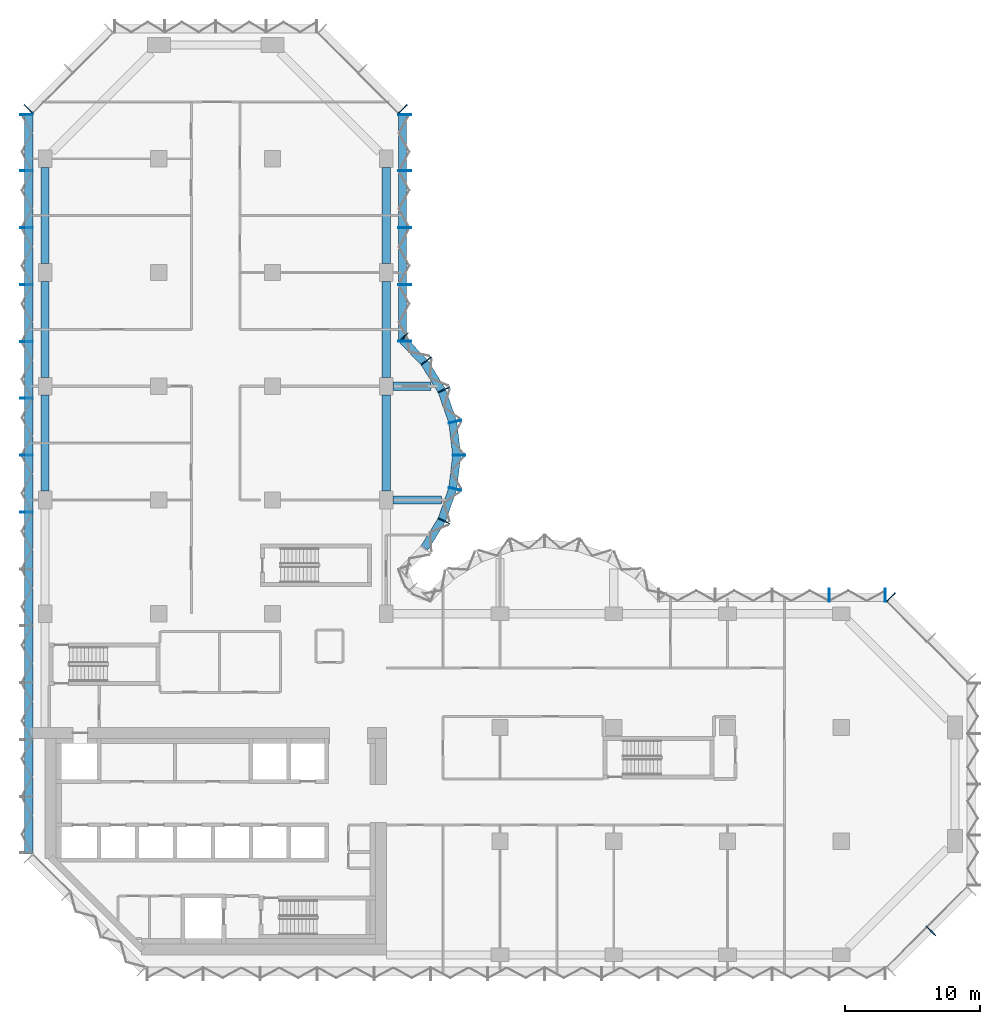
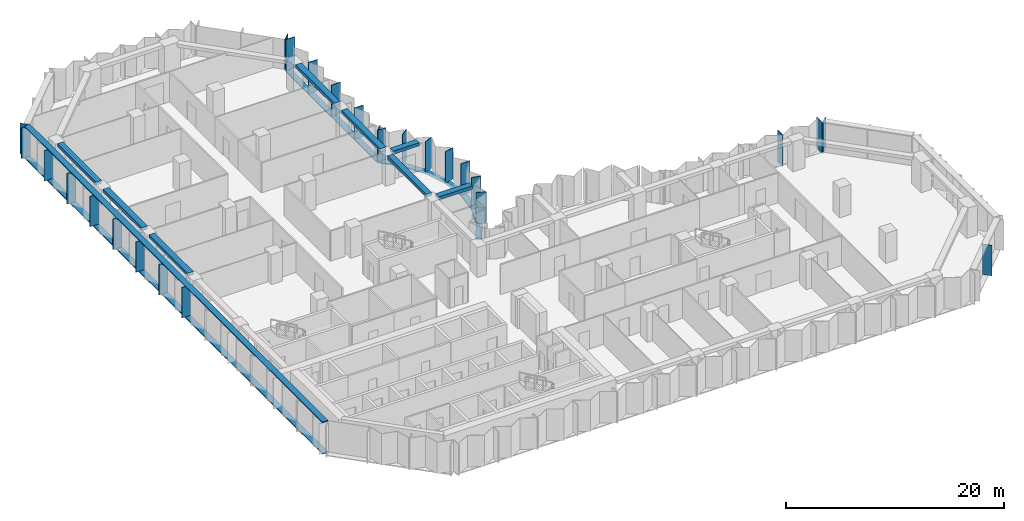
# One storey, part 3 of 13: 36 members, 8 beams, 8 elements without a shape of their own.
"""IFC4 building model written with IfcOpenShell, lengths in metres."""

from ifc_helpers import new_model, si_unit, direction, frame, origin, origin_2d, place, context, subcontext, project, spatial, rectangle, extrude, material, material_profile, profile_set, type_object, element, aggregate, save


model = new_model("IFC4")

# Units and contexts
model_context = context("Model", 3, precision=1e-05, world=origin(), true_north=direction((0.0, 1.0)))
body_context = subcontext(model_context, "Body", "Model", "MODEL_VIEW")
ifc_project = project(units=[si_unit("LENGTHUNIT", "METRE"), si_unit("AREAUNIT", "SQUARE_METRE"), si_unit("VOLUMEUNIT", "CUBIC_METRE"), si_unit("PLANEANGLEUNIT", "RADIAN"), si_unit("MASSUNIT", "GRAM", prefix="KILO")], contexts=[model_context])

# Site, building, storey
site_placement = place(None, origin())
site = spatial("IfcSite", under=ifc_project, at=site_placement, CompositionType="ELEMENT")
building_placement = place(site_placement, origin())
building = spatial("IfcBuilding", under=site, at=building_placement, Name="Brevane Broadcast Tower", CompositionType="ELEMENT")
storey_placement = place(building_placement, frame((0.0, 0.0, 131.300048828125)))
storey = spatial("IfcBuildingStorey", under=building, at=storey_placement, Name="L32", CompositionType="ELEMENT", Elevation=131.300048828125)

# Curtain wall, member
ifc_material_1 = material(Name="Aluminium 6063-T6 bronze anodised", Category="aluminium")
curtain_wall_type = type_object("IfcCurtainWallType", Name="CW-1 curtain wall", PredefinedType="NOTDEFINED", material=ifc_material_1)
curtain_wall_1_placement = place(storey_placement, origin())
curtain_wall_1 = element("IfcCurtainWall", 1, at=curtain_wall_1_placement, inside=storey, type_object=curtain_wall_type, Name="CW-1 typical tilted unit L32 south-east chamfer", PredefinedType="NOTDEFINED")
ifc_material_profile_1 = material_profile(ifc_material_1, rectangle(XDim=0.949951171875, YDim=0.070068359375, at=origin_2d()), Name="RECT 70x950")
ifc_profile_set_1 = profile_set([ifc_material_profile_1], Name="Aluminium 6063-T6 bronze anodised")
member_type_1 = type_object("IfcMemberType", Name="CW-1 mullion 70x950", PredefinedType="MULLION", material=ifc_profile_set_1)
member_1_placement = place(storey_placement, frame((65.435791015625, 1.76416015625, -0.150146484375), z_axis=(0.0, 0.0, 1.0), x_axis=(-0.707106781187, 0.707106781187, 0.0)))
member_1 = element("IfcMember", 2, at=member_1_placement, type_object=member_type_1, Name="CW-1 mullion", PredefinedType="MULLION", context=body_context, shape_type="SweptSolid", body=[
    extrude(rectangle(XDim=0.949951171875, YDim=0.070068359375, at=origin_2d()), origin(), (0.0, 0.0, 1.0), 3.400146484375),
])
aggregate(curtain_wall_1, [member_1])

curtain_wall_2_placement = place(storey_placement, origin())
curtain_wall_2 = element("IfcCurtainWall", 3, at=curtain_wall_2_placement, inside=storey, type_object=curtain_wall_type, Name="CW-1 typical tilted unit L32 north-east chamfer", PredefinedType="NOTDEFINED")
member_2_placement = place(storey_placement, frame((62.460693359375, 26.4111328125, -0.150146484375), z_axis=(0.0, 0.0, 1.0), x_axis=(-0.707106781187, -0.707106781187, 0.0)))
member_2 = element("IfcMember", 4, at=member_2_placement, type_object=member_type_1, Name="CW-1 mullion", PredefinedType="MULLION", context=body_context, shape_type="SweptSolid", body=[
    extrude(rectangle(XDim=0.949951171875, YDim=0.070068359375, at=origin_2d()), origin(), (0.0, 0.0, 1.0), 3.400146484375),
])
aggregate(curtain_wall_2, [member_2])

# Curtain wall, members
curtain_wall_3_placement = place(storey_placement, origin())
curtain_wall_3 = element("IfcCurtainWall", 5, at=curtain_wall_3_placement, inside=storey, type_object=curtain_wall_type, Name="CW-1 typical tilted unit L32 east arm north face", PredefinedType="NOTDEFINED")
member_3_placement = place(storey_placement, frame((62.06494140625, 26.574951171875, -0.150146484375), z_axis=(0.0, 0.0, 1.0), x_axis=(0.0, -1.0, 0.0)))
member_3 = element("IfcMember", 6, at=member_3_placement, type_object=member_type_1, Name="CW-1 mullion", PredefinedType="MULLION", context=body_context, shape_type="SweptSolid", body=[
    extrude(rectangle(XDim=0.949951171875, YDim=0.070068359375, at=origin_2d()), origin(), (0.0, 0.0, 1.0), 3.5),
])
member_4_placement = place(storey_placement, frame((57.89990234375, 26.574951171875, -0.150146484375), z_axis=(0.0, 0.0, 1.0), x_axis=(0.0, -1.0, 0.0)))
member_4 = element("IfcMember", 7, at=member_4_placement, type_object=member_type_1, Name="CW-1 mullion", PredefinedType="MULLION", context=body_context, shape_type="SweptSolid", body=[
    extrude(rectangle(XDim=0.949951171875, YDim=0.070068359375, at=origin_2d()), origin(), (0.0, 0.0, 1.0), 3.5),
])
aggregate(curtain_wall_3, [member_3, member_4])

curtain_wall_4_placement = place(storey_placement, origin())
curtain_wall_4 = element("IfcCurtainWall", 8, at=curtain_wall_4_placement, inside=storey, type_object=curtain_wall_type, Name="CW-1 typical tilted unit L32 north bow", PredefinedType="NOTDEFINED")
member_5_placement = place(storey_placement, frame((29.4580078125, 32.05322265625, -0.150146484375), z_axis=(0.0, 0.0, 1.0), x_axis=(-0.902860508933, 0.429933601163, 0.0)))
member_5 = element("IfcMember", 9, at=member_5_placement, type_object=member_type_1, Name="CW-1 mullion", PredefinedType="MULLION", context=body_context, shape_type="SweptSolid", body=[
    extrude(rectangle(XDim=0.949951171875, YDim=0.070068359375, at=origin_2d()), origin(), (0.0, 0.0, 1.0), 3.5),
])
member_6_placement = place(storey_placement, frame((30.28076171875, 34.411865234375, -0.150146484375), z_axis=(0.0, 0.0, 1.0), x_axis=(-0.974403430594, 0.224806482215, 0.0)))
member_6 = element("IfcMember", 10, at=member_6_placement, type_object=member_type_1, Name="CW-1 mullion", PredefinedType="MULLION", context=body_context, shape_type="SweptSolid", body=[
    extrude(rectangle(XDim=0.949951171875, YDim=0.070068359375, at=origin_2d()), origin(), (0.0, 0.0, 1.0), 3.5),
])
member_7_placement = place(storey_placement, frame((30.574951171875, 36.89990234375, -0.150146484375), z_axis=(0.0, 0.0, 1.0), x_axis=(-1.0, 0.0, 0.0)))
member_7 = element("IfcMember", 11, at=member_7_placement, type_object=member_type_1, Name="CW-1 mullion", PredefinedType="MULLION", context=body_context, shape_type="SweptSolid", body=[
    extrude(rectangle(XDim=0.949951171875, YDim=0.070068359375, at=origin_2d()), origin(), (0.0, 0.0, 1.0), 3.5),
])
member_8_placement = place(storey_placement, frame((30.28076171875, 39.38818359375, -0.150146484375), z_axis=(0.0, 0.0, 1.0), x_axis=(-0.974403430594, -0.224806482215, 0.0)))
member_8 = element("IfcMember", 12, at=member_8_placement, type_object=member_type_1, Name="CW-1 mullion", PredefinedType="MULLION", context=body_context, shape_type="SweptSolid", body=[
    extrude(rectangle(XDim=0.949951171875, YDim=0.070068359375, at=origin_2d()), origin(), (0.0, 0.0, 1.0), 3.5),
])
member_9_placement = place(storey_placement, frame((29.4580078125, 41.746826171875, -0.150146484375), z_axis=(0.0, 0.0, 1.0), x_axis=(-0.902860508933, -0.429933601163, 0.0)))
member_9 = element("IfcMember", 13, at=member_9_placement, type_object=member_type_1, Name="CW-1 mullion", PredefinedType="MULLION", context=body_context, shape_type="SweptSolid", body=[
    extrude(rectangle(XDim=0.949951171875, YDim=0.070068359375, at=origin_2d()), origin(), (0.0, 0.0, 1.0), 3.5),
])
member_10_placement = place(storey_placement, frame((28.1455078125, 43.8720703125, -0.150146484375), z_axis=(0.0, 0.0, 1.0), x_axis=(-0.788706642853, -0.614769738617, 0.0)))
member_10 = element("IfcMember", 14, at=member_10_placement, type_object=member_type_1, Name="CW-1 mullion", PredefinedType="MULLION", context=body_context, shape_type="SweptSolid", body=[
    extrude(rectangle(XDim=0.949951171875, YDim=0.070068359375, at=origin_2d()), origin(), (0.0, 0.0, 1.0), 3.5),
])
member_11_placement = place(storey_placement, frame((26.465087890625, 45.60595703125, -0.150146484375), z_axis=(0.0, 0.0, 1.0), x_axis=(-0.717253872699, -0.696811941702, 0.0)))
member_11 = element("IfcMember", 15, at=member_11_placement, type_object=member_type_1, Name="CW-1 mullion", PredefinedType="MULLION", context=body_context, shape_type="SweptSolid", body=[
    extrude(rectangle(XDim=0.949951171875, YDim=0.070068359375, at=origin_2d()), origin(), (0.0, 0.0, 1.0), 3.5),
])

curtain_wall_5_placement = place(storey_placement, origin())
curtain_wall_5 = element("IfcCurtainWall", 16, at=curtain_wall_5_placement, inside=storey, type_object=curtain_wall_type, Name="CW-1 typical tilted unit L32 north arm east face", PredefinedType="NOTDEFINED")
member_12_placement = place(storey_placement, frame((26.574951171875, 45.3349609375, -0.150146484375), z_axis=(0.0, 0.0, 1.0), x_axis=(-1.0, 0.0, 0.0)))
member_12 = element("IfcMember", 17, at=member_12_placement, type_object=member_type_1, Name="CW-1 mullion", PredefinedType="MULLION", context=body_context, shape_type="SweptSolid", body=[
    extrude(rectangle(XDim=0.949951171875, YDim=0.070068359375, at=origin_2d()), origin(), (0.0, 0.0, 1.0), 3.5),
])
member_13_placement = place(storey_placement, frame((26.574951171875, 49.5, -0.150146484375), z_axis=(0.0, 0.0, 1.0), x_axis=(-1.0, 0.0, 0.0)))
member_13 = element("IfcMember", 18, at=member_13_placement, type_object=member_type_1, Name="CW-1 mullion", PredefinedType="MULLION", context=body_context, shape_type="SweptSolid", body=[
    extrude(rectangle(XDim=0.949951171875, YDim=0.070068359375, at=origin_2d()), origin(), (0.0, 0.0, 1.0), 3.5),
])
member_14_placement = place(storey_placement, frame((26.574951171875, 53.699951171875, -0.150146484375), z_axis=(0.0, 0.0, 1.0), x_axis=(-1.0, 0.0, 0.0)))
member_14 = element("IfcMember", 19, at=member_14_placement, type_object=member_type_1, Name="CW-1 mullion", PredefinedType="MULLION", context=body_context, shape_type="SweptSolid", body=[
    extrude(rectangle(XDim=0.949951171875, YDim=0.070068359375, at=origin_2d()), origin(), (0.0, 0.0, 1.0), 3.5),
])
member_15_placement = place(storey_placement, frame((26.574951171875, 57.89990234375, -0.150146484375), z_axis=(0.0, 0.0, 1.0), x_axis=(-1.0, 0.0, 0.0)))
member_15 = element("IfcMember", 20, at=member_15_placement, type_object=member_type_1, Name="CW-1 mullion", PredefinedType="MULLION", context=body_context, shape_type="SweptSolid", body=[
    extrude(rectangle(XDim=0.949951171875, YDim=0.070068359375, at=origin_2d()), origin(), (0.0, 0.0, 1.0), 3.5),
])
member_16_placement = place(storey_placement, frame((26.574951171875, 62.06494140625, -0.150146484375), z_axis=(0.0, 0.0, 1.0), x_axis=(-1.0, 0.0, 0.0)))
member_16 = element("IfcMember", 21, at=member_16_placement, type_object=member_type_1, Name="CW-1 mullion", PredefinedType="MULLION", context=body_context, shape_type="SweptSolid", body=[
    extrude(rectangle(XDim=0.949951171875, YDim=0.070068359375, at=origin_2d()), origin(), (0.0, 0.0, 1.0), 3.5),
])

# Curtain wall, member
curtain_wall_6_placement = place(storey_placement, origin())
curtain_wall_6 = element("IfcCurtainWall", 22, at=curtain_wall_6_placement, inside=storey, type_object=curtain_wall_type, Name="CW-1 typical tilted unit L32 north arm north-east chamfer", PredefinedType="NOTDEFINED")
member_17_placement = place(storey_placement, frame((26.4111328125, 62.460693359375, -0.150146484375), z_axis=(0.0, 0.0, 1.0), x_axis=(-0.707106781187, -0.707106781187, 0.0)))
member_17 = element("IfcMember", 23, at=member_17_placement, type_object=member_type_1, Name="CW-1 mullion", PredefinedType="MULLION", context=body_context, shape_type="SweptSolid", body=[
    extrude(rectangle(XDim=0.949951171875, YDim=0.070068359375, at=origin_2d()), origin(), (0.0, 0.0, 1.0), 3.5),
])
aggregate(curtain_wall_6, [member_17])

curtain_wall_7_placement = place(storey_placement, origin())
curtain_wall_7 = element("IfcCurtainWall", 24, at=curtain_wall_7_placement, inside=storey, type_object=curtain_wall_type, Name="CW-1 typical tilted unit L32 north-west chamfer", PredefinedType="NOTDEFINED")
member_18_placement = place(storey_placement, frame((-1.211181640625, 62.460693359375, -0.150146484375), z_axis=(0.0, 0.0, 1.0), x_axis=(0.707106781187, -0.707106781187, 0.0)))
member_18 = element("IfcMember", 25, at=member_18_placement, type_object=member_type_1, Name="CW-1 mullion", PredefinedType="MULLION", context=body_context, shape_type="SweptSolid", body=[
    extrude(rectangle(XDim=0.949951171875, YDim=0.070068359375, at=origin_2d()), origin(), (0.0, 0.0, 1.0), 3.400146484375),
])
aggregate(curtain_wall_7, [member_18])

# Curtain wall, members
curtain_wall_8_placement = place(storey_placement, origin())
curtain_wall_8 = element("IfcCurtainWall", 26, at=curtain_wall_8_placement, inside=storey, type_object=curtain_wall_type, Name="CW-1 typical tilted unit L32 west face", PredefinedType="NOTDEFINED")
member_19_placement = place(storey_placement, frame((-1.375, 62.06494140625, -0.150146484375), z_axis=(0.0, 0.0, 1.0), x_axis=(1.0, 0.0, 0.0)))
member_19 = element("IfcMember", 27, at=member_19_placement, type_object=member_type_1, Name="CW-1 mullion", PredefinedType="MULLION", context=body_context, shape_type="SweptSolid", body=[
    extrude(rectangle(XDim=0.949951171875, YDim=0.070068359375, at=origin_2d()), origin(), (0.0, 0.0, 1.0), 3.400146484375),
])
member_20_placement = place(storey_placement, frame((-1.375, 57.89990234375, -0.150146484375), z_axis=(0.0, 0.0, 1.0), x_axis=(1.0, 0.0, 0.0)))
member_20 = element("IfcMember", 28, at=member_20_placement, type_object=member_type_1, Name="CW-1 mullion", PredefinedType="MULLION", context=body_context, shape_type="SweptSolid", body=[
    extrude(rectangle(XDim=0.949951171875, YDim=0.070068359375, at=origin_2d()), origin(), (0.0, 0.0, 1.0), 3.400146484375),
])
member_21_placement = place(storey_placement, frame((-1.375, 53.699951171875, -0.150146484375), z_axis=(0.0, 0.0, 1.0), x_axis=(1.0, 0.0, 0.0)))
member_21 = element("IfcMember", 29, at=member_21_placement, type_object=member_type_1, Name="CW-1 mullion", PredefinedType="MULLION", context=body_context, shape_type="SweptSolid", body=[
    extrude(rectangle(XDim=0.949951171875, YDim=0.070068359375, at=origin_2d()), origin(), (0.0, 0.0, 1.0), 3.400146484375),
])
member_22_placement = place(storey_placement, frame((-1.375, 49.5, -0.150146484375), z_axis=(0.0, 0.0, 1.0), x_axis=(1.0, 0.0, 0.0)))
member_22 = element("IfcMember", 30, at=member_22_placement, type_object=member_type_1, Name="CW-1 mullion", PredefinedType="MULLION", context=body_context, shape_type="SweptSolid", body=[
    extrude(rectangle(XDim=0.949951171875, YDim=0.070068359375, at=origin_2d()), origin(), (0.0, 0.0, 1.0), 3.400146484375),
])
member_23_placement = place(storey_placement, frame((-1.375, 45.300048828125, -0.150146484375), z_axis=(0.0, 0.0, 1.0), x_axis=(1.0, 0.0, 0.0)))
member_23 = element("IfcMember", 31, at=member_23_placement, type_object=member_type_1, Name="CW-1 mullion", PredefinedType="MULLION", context=body_context, shape_type="SweptSolid", body=[
    extrude(rectangle(XDim=0.949951171875, YDim=0.070068359375, at=origin_2d()), origin(), (0.0, 0.0, 1.0), 3.400146484375),
])
member_24_placement = place(storey_placement, frame((-1.375, 41.10009765625, -0.150146484375), z_axis=(0.0, 0.0, 1.0), x_axis=(1.0, 0.0, 0.0)))
member_24 = element("IfcMember", 32, at=member_24_placement, type_object=member_type_1, Name="CW-1 mullion", PredefinedType="MULLION", context=body_context, shape_type="SweptSolid", body=[
    extrude(rectangle(XDim=0.949951171875, YDim=0.070068359375, at=origin_2d()), origin(), (0.0, 0.0, 1.0), 3.400146484375),
])
member_25_placement = place(storey_placement, frame((-1.375, 36.89990234375, -0.150146484375), z_axis=(0.0, 0.0, 1.0), x_axis=(1.0, 0.0, 0.0)))
member_25 = element("IfcMember", 33, at=member_25_placement, type_object=member_type_1, Name="CW-1 mullion", PredefinedType="MULLION", context=body_context, shape_type="SweptSolid", body=[
    extrude(rectangle(XDim=0.949951171875, YDim=0.070068359375, at=origin_2d()), origin(), (0.0, 0.0, 1.0), 3.400146484375),
])
member_26_placement = place(storey_placement, frame((-1.375, 32.699951171875, -0.150146484375), z_axis=(0.0, 0.0, 1.0), x_axis=(1.0, 0.0, 0.0)))
member_26 = element("IfcMember", 34, at=member_26_placement, type_object=member_type_1, Name="CW-1 mullion", PredefinedType="MULLION", context=body_context, shape_type="SweptSolid", body=[
    extrude(rectangle(XDim=0.949951171875, YDim=0.070068359375, at=origin_2d()), origin(), (0.0, 0.0, 1.0), 3.400146484375),
])

# Member
ifc_material_profile_2 = material_profile(ifc_material_1, rectangle(XDim=0.60009765625, YDim=0.10009765625, at=origin_2d()), Name="RECT 100x600")
ifc_profile_set_2 = profile_set([ifc_material_profile_2], Name="Aluminium 6063-T6 bronze anodised")
member_type_2 = type_object("IfcMemberType", Name="CW-1 transom 100x600", PredefinedType="USERDEFINED", material=ifc_profile_set_2)
member_27_placement = place(storey_placement, frame((28.023193359375, 30.0576171875, -0.199951171875), z_axis=(0.525427766759, 0.850838211365, 0.0), x_axis=(-0.850838211365, 0.525427766759, 0.0)))
member_27 = element("IfcMember", 35, at=member_27_placement, type_object=member_type_2, Name="CW-1 transom", ObjectType="TRANSOM", PredefinedType="USERDEFINED", context=body_context, shape_type="SweptSolid", body=[
    extrude(rectangle(XDim=0.60009765625, YDim=0.10009765625, at=origin_2d()), origin(), (0.0, 0.0, 1.0), 2.394775390625),
])

member_28_placement = place(storey_placement, frame((29.314208984375, 32.163818359375, -0.199951171875), z_axis=(0.329378497041, 0.944197969542, 0.0), x_axis=(-0.944197969542, 0.329378497041, 0.0)))
member_28 = element("IfcMember", 36, at=member_28_placement, type_object=member_type_2, Name="CW-1 transom", ObjectType="TRANSOM", PredefinedType="USERDEFINED", context=body_context, shape_type="SweptSolid", body=[
    extrude(rectangle(XDim=0.60009765625, YDim=0.10009765625, at=origin_2d()), origin(), (0.0, 0.0, 1.0), 2.394775390625),
])

member_29_placement = place(storey_placement, frame((30.117431640625, 34.499755859375, -0.199951171875), z_axis=(0.117603307202, 0.993060653805, 0.0), x_axis=(-0.993060653805, 0.117603307202, 0.0)))
member_29 = element("IfcMember", 37, at=member_29_placement, type_object=member_type_2, Name="CW-1 transom", ObjectType="TRANSOM", PredefinedType="USERDEFINED", context=body_context, shape_type="SweptSolid", body=[
    extrude(rectangle(XDim=0.60009765625, YDim=0.10009765625, at=origin_2d()), origin(), (0.0, 0.0, 1.0), 2.397705078125),
])

member_30_placement = place(storey_placement, frame((30.3994140625, 36.9189453125, -0.199951171875), z_axis=(-0.117591417, 0.993062061831, 0.0), x_axis=(-0.993062061831, -0.117591417, 0.0)))
member_30 = element("IfcMember", 38, at=member_30_placement, type_object=member_type_2, Name="CW-1 transom", ObjectType="TRANSOM", PredefinedType="USERDEFINED", context=body_context, shape_type="SweptSolid", body=[
    extrude(rectangle(XDim=0.60009765625, YDim=0.10009765625, at=origin_2d()), origin(), (0.0, 0.0, 1.0), 2.39794921875),
])

member_31_placement = place(storey_placement, frame((30.10302734375, 39.375, -0.199951171875), z_axis=(-0.329378497041, 0.944197969542, 0.0), x_axis=(-0.944197969542, -0.329378497041, 0.0)))
member_31 = element("IfcMember", 39, at=member_31_placement, type_object=member_type_2, Name="CW-1 transom", ObjectType="TRANSOM", PredefinedType="USERDEFINED", context=body_context, shape_type="SweptSolid", body=[
    extrude(rectangle(XDim=0.60009765625, YDim=0.10009765625, at=origin_2d()), origin(), (0.0, 0.0, 1.0), 2.394775390625),
])

member_32_placement = place(storey_placement, frame((29.281494140625, 41.704833984375, -0.199951171875), z_axis=(-0.525473345162, 0.850810063131, 0.0), x_axis=(-0.850810063131, -0.525473345162, 0.0)))
member_32 = element("IfcMember", 40, at=member_32_placement, type_object=member_type_2, Name="CW-1 transom", ObjectType="TRANSOM", PredefinedType="USERDEFINED", context=body_context, shape_type="SweptSolid", body=[
    extrude(rectangle(XDim=0.60009765625, YDim=0.10009765625, at=origin_2d()), origin(), (0.0, 0.0, 1.0), 2.39453125),
])

member_33_placement = place(storey_placement, frame((27.974365234375, 43.800537109375, -0.199951171875), z_axis=(-0.696823999134, 0.71724215871, 0.0), x_axis=(-0.71724215871, -0.696823999134, 0.0)))
member_33 = element("IfcMember", 41, at=member_33_placement, type_object=member_type_2, Name="CW-1 transom", ObjectType="TRANSOM", PredefinedType="USERDEFINED", context=body_context, shape_type="SweptSolid", body=[
    extrude(rectangle(XDim=0.60009765625, YDim=0.10009765625, at=origin_2d()), origin(), (0.0, 0.0, 1.0), 2.247802734375),
])

aggregate(curtain_wall_4, [member_5, member_6, member_7, member_8, member_9, member_10, member_11, member_27, member_28, member_29, member_30, member_31, member_32, member_33])

member_34_placement = place(storey_placement, frame((26.39990234375, 45.300048828125, -0.199951171875), z_axis=(0.0, 1.0, 0.0), x_axis=(-1.0, 0.0, 0.0)))
member_34 = element("IfcMember", 42, at=member_34_placement, type_object=member_type_2, Name="CW-1 transom", ObjectType="TRANSOM", PredefinedType="USERDEFINED", context=body_context, shape_type="SweptSolid", body=[
    extrude(rectangle(XDim=0.60009765625, YDim=0.10009765625, at=origin_2d()), origin(), (0.0, 0.0, 1.0), 16.800048828125),
])

aggregate(curtain_wall_5, [member_12, member_13, member_14, member_15, member_16, member_34])

member_35_placement = place(storey_placement, frame((-1.199951171875, 62.10009765625, -0.199951171875), z_axis=(0.0, -1.0, 0.0), x_axis=(1.0, 0.0, 0.0)))
member_35 = element("IfcMember", 43, at=member_35_placement, type_object=member_type_2, Name="CW-1 transom", ObjectType="TRANSOM", PredefinedType="USERDEFINED", context=body_context, shape_type="SweptSolid", body=[
    extrude(rectangle(XDim=0.60009765625, YDim=0.10009765625, at=origin_2d()), origin(), (0.0, 0.0, 1.0), 54.60009765625),
])

member_36_placement = place(storey_placement, frame((-1.199951171875, 62.10009765625, 3.300048828125), z_axis=(0.0, -1.0, 0.0), x_axis=(1.0, 0.0, 0.0)))
member_36 = element("IfcMember", 44, at=member_36_placement, type_object=member_type_2, Name="CW-1 transom", ObjectType="TRANSOM", PredefinedType="USERDEFINED", context=body_context, shape_type="SweptSolid", body=[
    extrude(rectangle(XDim=0.60009765625, YDim=0.10009765625, at=origin_2d()), origin(), (0.0, 0.0, 1.0), 54.60009765625),
])

aggregate(curtain_wall_8, [member_19, member_20, member_21, member_22, member_23, member_24, member_25, member_26, member_35, member_36])

# Beams
ifc_material_2 = material(Name="Concrete C40/50", Category="concrete")
ifc_material_profile_3 = material_profile(ifc_material_2, rectangle(XDim=0.60009765625, YDim=0.35009765625, at=origin_2d()), Name="RC 600x350")
ifc_profile_set_3 = profile_set([ifc_material_profile_3], Name="Concrete C40/50")
beam_type_1 = type_object("IfcBeamType", Name="RC BRACKET BEAM 600x350 C40/50", PredefinedType="BEAM", material=ifc_profile_set_3)
beam_1_placement = place(storey_placement, frame((25.699951171875, 33.60009765625, 3.175048828125), z_axis=(1.0, 0.0, 0.0), x_axis=(0.0, 1.0, 0.0)))
element("IfcBeam", 45, at=beam_1_placement, inside=storey, type_object=beam_type_1, Name="EB2 L32-1", PredefinedType="BEAM", context=body_context, shape_type="SweptSolid", body=[
    extrude(rectangle(XDim=0.60009765625, YDim=0.35009765625, at=origin_2d()), origin(), (0.0, 0.0, 1.0), 3.56201171875),
])
beam_2_placement = place(storey_placement, frame((25.699951171875, 42.0, 3.175048828125), z_axis=(1.0, 0.0, 0.0), x_axis=(0.0, 1.0, 0.0)))
element("IfcBeam", 46, at=beam_2_placement, inside=storey, type_object=beam_type_1, Name="EB2 L32-2", PredefinedType="BEAM", context=body_context, shape_type="SweptSolid", body=[
    extrude(rectangle(XDim=0.60009765625, YDim=0.35009765625, at=origin_2d()), origin(), (0.0, 0.0, 1.0), 2.8115234375),
])
ifc_material_profile_4 = material_profile(ifc_material_2, rectangle(XDim=0.60009765625, YDim=0.35009765625, at=origin_2d()), Name="RC 600x350")
ifc_profile_set_4 = profile_set([ifc_material_profile_4], Name="Concrete C40/50")
beam_type_2 = type_object("IfcBeamType", Name="RC SPANDREL BEAM 600x350 C40/50", PredefinedType="SPANDREL", material=ifc_profile_set_4)
for number, where, z_axis, x_axis, name in (
    (47, (25.199951171875, 34.25, 3.175048828125), (0.0, 1.0, 0.0), (-1.0, 0.0, 0.0), "EB1 L32-13"),
    (48, (25.199951171875, 42.64990234375, 3.175048828125), (0.0, 1.0, 0.0), (-1.0, 0.0, 0.0), "EB1 L32-14"),
):
    element("IfcBeam", number, at=place(storey_placement, frame(where, z_axis=z_axis, x_axis=x_axis)), inside=storey, type_object=beam_type_2, Name=name, PredefinedType="SPANDREL", context=body_context, shape_type="SweptSolid", body=[
        extrude(rectangle(XDim=0.60009765625, YDim=0.35009765625, at=origin_2d()), origin(), (0.0, 0.0, 1.0), 7.10009765625),
    ])
for number, where, z_axis, x_axis, name in (
    (49, (25.199951171875, 51.050048828125, 3.175048828125), (0.0, 1.0, 0.0), (-1.0, 0.0, 0.0), "EB1 L32-15"),
    (50, (0.0, 58.14990234375, 3.175048828125), (0.0, -1.0, 0.0), (1.0, 0.0, 0.0), "EB1 L32-19"),
):
    element("IfcBeam", number, at=place(storey_placement, frame(where, z_axis=z_axis, x_axis=x_axis)), inside=storey, type_object=beam_type_2, Name=name, PredefinedType="SPANDREL", context=body_context, shape_type="SweptSolid", body=[
        extrude(rectangle(XDim=0.60009765625, YDim=0.35009765625, at=origin_2d()), origin(), (0.0, 0.0, 1.0), 7.099853515625),
    ])
for number, where, z_axis, x_axis, name in (
    (51, (0.0, 49.75, 3.175048828125), (0.0, -1.0, 0.0), (1.0, 0.0, 0.0), "EB1 L32-20"),
    (52, (0.0, 41.35009765625, 3.175048828125), (0.0, -1.0, 0.0), (1.0, 0.0, 0.0), "EB1 L32-21"),
):
    element("IfcBeam", number, at=place(storey_placement, frame(where, z_axis=z_axis, x_axis=x_axis)), inside=storey, type_object=beam_type_2, Name=name, PredefinedType="SPANDREL", context=body_context, shape_type="SweptSolid", body=[
        extrude(rectangle(XDim=0.60009765625, YDim=0.35009765625, at=origin_2d()), origin(), (0.0, 0.0, 1.0), 7.10009765625),
    ])

save(model, "model.ifc")
